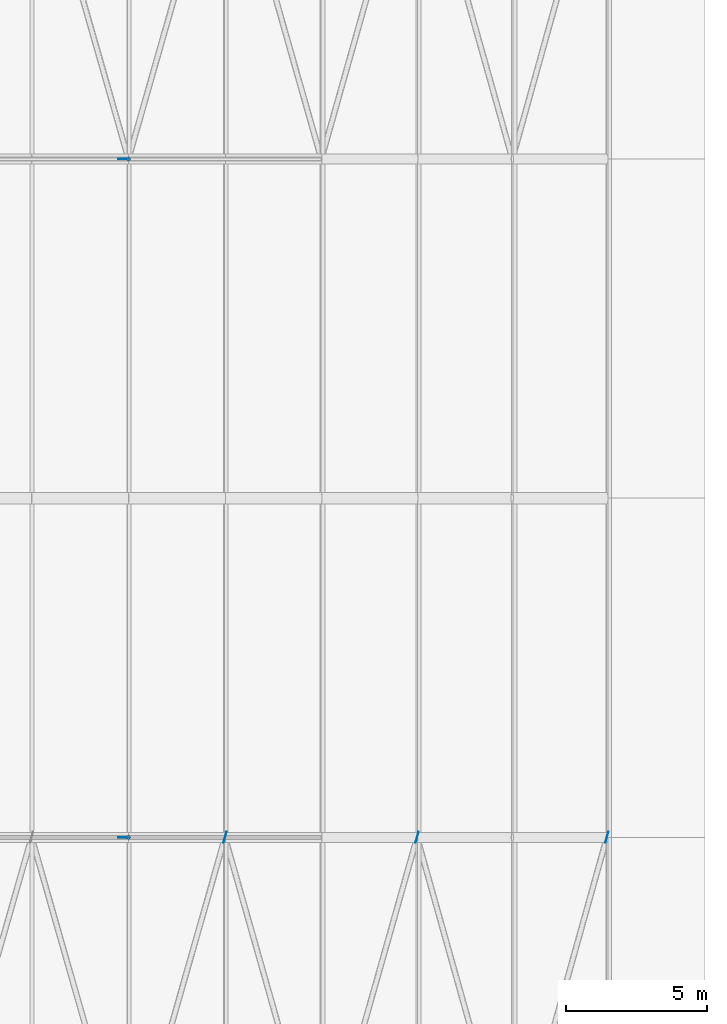
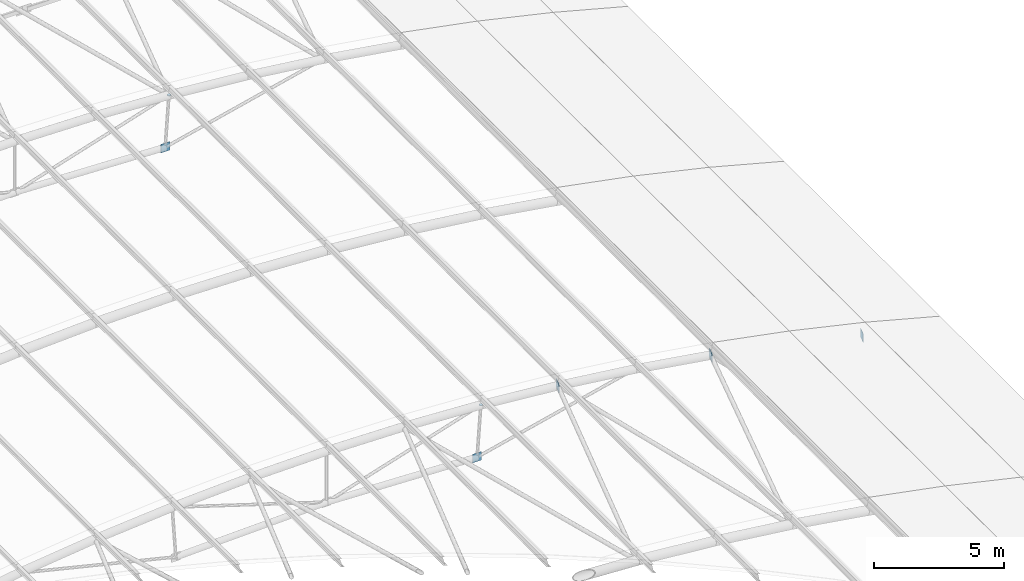
# One storey, part 82 of 91: 7 discrete accessories.
"""IFC4 building model written with IfcOpenShell, lengths in metres."""

from ifc_helpers import new_model, si_unit, direction, frame, origin, origin_2d, place, context, subcontext, project, spatial, rectangle, circle, extrude, material, material_profile, profile_set, type_object, element, save


model = new_model("IFC4")

# Units and contexts
model_context = context("Model", 3, precision=1e-05, world=origin(), true_north=direction((0.0, 1.0)))
body_context = subcontext(model_context, "Body", "Model", "MODEL_VIEW")
ifc_project = project(units=[si_unit("LENGTHUNIT", "METRE"), si_unit("AREAUNIT", "SQUARE_METRE"), si_unit("VOLUMEUNIT", "CUBIC_METRE"), si_unit("PLANEANGLEUNIT", "RADIAN"), si_unit("MASSUNIT", "GRAM", prefix="KILO")], contexts=[model_context])

# Site, building, storey
site_placement = place(None, origin())
site = spatial("IfcSite", under=ifc_project, at=site_placement, CompositionType="ELEMENT")
building_placement = place(site_placement, origin())
building = spatial("IfcBuilding", under=site, at=building_placement, Name="Ravi Spectrum Wholesale Market", CompositionType="ELEMENT")
storey_placement = place(building_placement, frame((0.0, 0.0, 16.199951171875)))
storey = spatial("IfcBuildingStorey", under=building, at=storey_placement, Name="ROOF PLANT LEVEL", CompositionType="ELEMENT", Elevation=16.199951171875)

# Discrete accessories
ifc_material_1 = material(Name="Steel S355", Category="steel")
ifc_material_profile_1 = material_profile(ifc_material_1, circle(Radius=0.06982421875, at=origin_2d()))
ifc_profile_set_1 = profile_set([ifc_material_profile_1], Name="Steel S355")
discrete_accessory_type_1 = type_object("IfcDiscreteAccessoryType", Name="End plate CHS 139.7x5", PredefinedType="BRACKET", material=ifc_profile_set_1)
for number, where, z_axis, x_axis, name in (
    (1, (76.857177734375, 162.0, 2.788818359375), (0.081362009455, 0.0, 0.996684615823), (0.0, 1.0, 0.0), "End plate"),
    (2, (76.857177734375, 186.0, 2.788818359375), (0.081362009455, 0.0, 0.996684615823), (0.0, 1.0, 0.0), "End plate"),
):
    element("IfcDiscreteAccessory", number, at=place(storey_placement, frame(where, z_axis=z_axis, x_axis=x_axis)), inside=storey, type_object=discrete_accessory_type_1, Name=name, PredefinedType="BRACKET", context=body_context, shape_type="SweptSolid", body=[
        extrude(circle(Radius=0.06982421875, at=origin_2d()), origin(), (0.0, 0.0, 1.0), 0.011962890625),
    ])
ifc_material_2 = material(Name="Steel S355", Category="steel")
ifc_material_profile_2 = material_profile(ifc_material_2, rectangle(XDim=0.39990234375, YDim=0.02001953125, at=origin_2d()))
ifc_profile_set_2 = profile_set([ifc_material_profile_2], Name="Steel S355")
discrete_accessory_type_2 = type_object("IfcDiscreteAccessoryType", Name="Gusset plate 400x400x20", PredefinedType="BRACKET", material=ifc_profile_set_2)
for number, where, z_axis, x_axis, name in (
    (3, (76.69189453125, 162.0, 0.194580078125), (0.0, 0.0, 1.0), (-1.0, 0.0, 0.0), "Gusset plate"),
    (4, (76.69189453125, 186.0, 0.194580078125), (0.0, 0.0, 1.0), (-1.0, 0.0, 0.0), "Gusset plate"),
    (5, (80.275634765625, 162.0, 2.293212890625), (0.0, 0.0, 1.0), (0.274099988531, 0.961701199067, 0.0), "Gusset plate"),
):
    element("IfcDiscreteAccessory", number, at=place(storey_placement, frame(where, z_axis=z_axis, x_axis=x_axis)), inside=storey, type_object=discrete_accessory_type_2, Name=name, PredefinedType="BRACKET", context=body_context, shape_type="SweptSolid", body=[
        extrude(rectangle(XDim=0.39990234375, YDim=0.02001953125, at=origin_2d()), origin(), (0.0, 0.0, 1.0), 0.39990234375),
    ])
for number, where, z_axis, x_axis, name in (
    (6, (87.07177734375, 162.0, 1.349365234375), (0.0, 0.0, 1.0), (0.272114179822, 0.962264970338, 0.0), "Gusset plate"),
    (7, (93.786865234375, 162.0, -0.060791015625), (0.0, 0.0, 1.0), (0.268923156276, 0.963161635458, 0.0), "Gusset plate"),
):
    element("IfcDiscreteAccessory", number, at=place(storey_placement, frame(where, z_axis=z_axis, x_axis=x_axis)), inside=storey, type_object=discrete_accessory_type_2, Name=name, PredefinedType="BRACKET", context=body_context, shape_type="SweptSolid", body=[
        extrude(rectangle(XDim=0.39990234375, YDim=0.02001953125, at=origin_2d()), origin(), (0.0, 0.0, 1.0), 0.400146484375),
    ])

save(model, "model.ifc")
